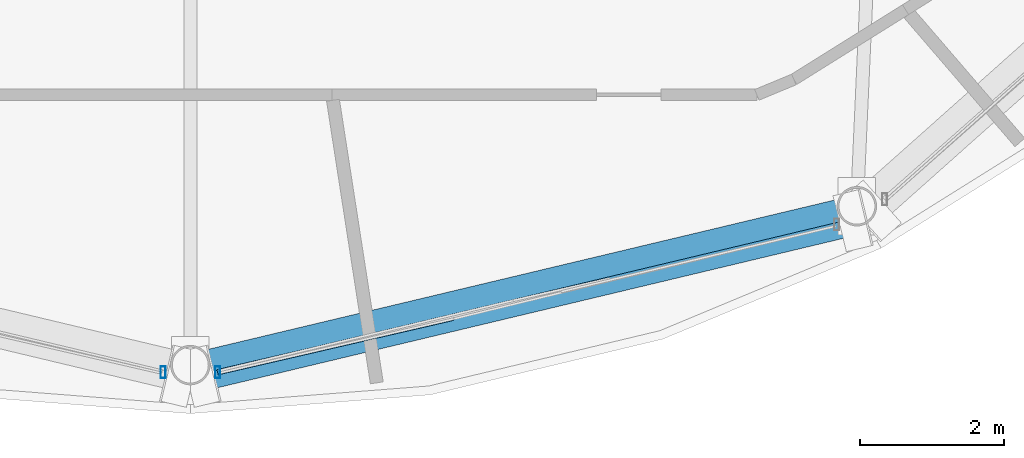
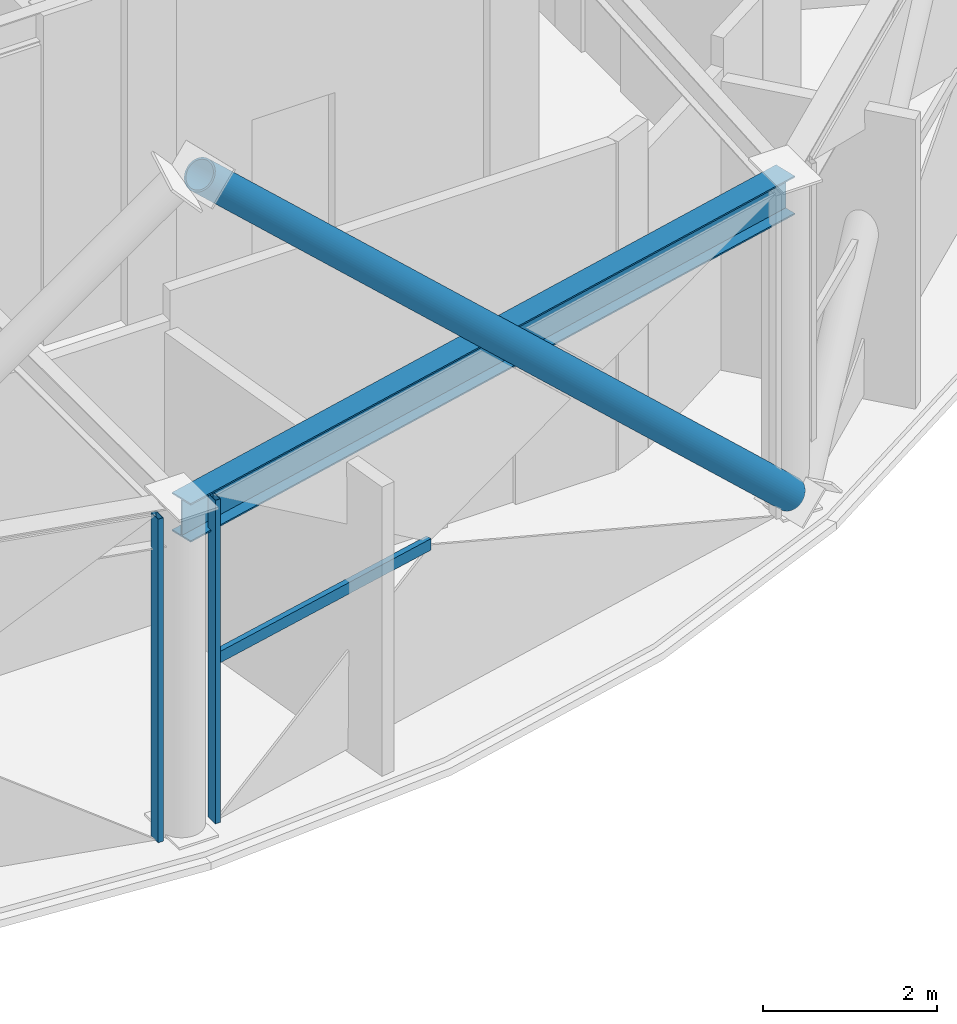
# One storey, part 5 of 27: 4 members, 1 beam, 2 elements without a shape of their own.
"""IFC4 building model written with IfcOpenShell, lengths in metres."""

from ifc_helpers import new_model, si_unit, direction, frame, origin, origin_2d, place, context, subcontext, project, spatial, hollow_rectangle, hollow_circle, i_section, extrude, material, layer, layer_set, material_profile, profile_set, type_object, element, aggregate, save


model = new_model("IFC4")

# Units and contexts
model_context = context("Model", 3, precision=1e-05, world=origin(), true_north=direction((0.0, 1.0)))
body_context = subcontext(model_context, "Body", "Model", "MODEL_VIEW")
ifc_project = project(units=[si_unit("LENGTHUNIT", "METRE"), si_unit("AREAUNIT", "SQUARE_METRE"), si_unit("VOLUMEUNIT", "CUBIC_METRE"), si_unit("PLANEANGLEUNIT", "RADIAN"), si_unit("MASSUNIT", "GRAM", prefix="KILO")], contexts=[model_context])

# Site, building, storey
site_placement = place(None, origin())
site = spatial("IfcSite", under=ifc_project, at=site_placement, CompositionType="ELEMENT")
building_placement = place(site_placement, origin())
building = spatial("IfcBuilding", under=site, at=building_placement, Name="Vantalir Tower", CompositionType="ELEMENT")
storey_placement = place(building_placement, frame((0.0, 0.0, 290.10009765625)))
storey = spatial("IfcBuildingStorey", under=building, at=storey_placement, Name="L73", CompositionType="ELEMENT", Elevation=290.10009765625)

# Beam
ifc_material_1 = material(Name="Steel S460", Category="steel")
ifc_material_profile_1 = material_profile(ifc_material_1, i_section(OverallWidth=0.31201171875, OverallDepth=0.5419921875, WebThickness=0.0126953125, FlangeThickness=0.020263671875, at=origin_2d()), Name="Steel S460")
ifc_profile_set_1 = profile_set([ifc_material_profile_1], Name="Steel S460")
beam_type = type_object("IfcBeamType", Name="BM-RG-533x312", PredefinedType="USERDEFINED", material=ifc_profile_set_1)
beam_placement = place(storey_placement, frame((31.5, 8.488037109375, 4.348876953125), z_axis=(0.972749896139, 0.231856937703, 0.0), x_axis=(-0.231856937703, 0.972749896139, 0.0)))
element("IfcBeam", 1, at=beam_placement, inside=storey, type_object=beam_type, Name="L73 Circumferential Ring Girder 10", ObjectType="GIRDER", PredefinedType="USERDEFINED", context=body_context, shape_type="SweptSolid", body=[
    extrude(i_section(OverallWidth=0.31201171875, OverallDepth=0.5419921875, WebThickness=0.0126953125, FlangeThickness=0.020263671875, at=origin_2d()), origin(), (0.0, 0.0, 1.0), 9.5400390625),
])

# Curtain wall, member
ifc_material_2 = material(Name="Champagne-silver PVDF aluminium and double-silver Low-E glass", Category="aluminium")
ifc_layer = layer(ifc_material_2, 0.219970703125)
ifc_layer_set = layer_set([ifc_layer], Name="Champagne-silver PVDF aluminium and double-silver Low-E glass")
curtain_wall_type = type_object("IfcCurtainWallType", Name="CW-DIAMOND-Z4", PredefinedType="USERDEFINED", material=ifc_layer_set)
curtain_wall_1_placement = place(storey_placement, origin())
curtain_wall_1 = element("IfcCurtainWall", 2, at=curtain_wall_1_placement, inside=storey, type_object=curtain_wall_type, Name="L73 Quilted Pyramid-Diamond Curtain Wall S09", ObjectType="UNITISED CURTAIN WALL", PredefinedType="USERDEFINED")
ifc_material_3 = material(Name="Champagne-silver PVDF aluminium 6063-T6", Category="aluminium")
ifc_material_profile_2 = material_profile(ifc_material_3, hollow_rectangle(XDim=0.070068359375, YDim=0.1650390625, WallThickness=0.00390625, at=origin_2d()), Name="Champagne-silver PVDF aluminium 6063-T6")
ifc_profile_set_2 = profile_set([ifc_material_profile_2], Name="Champagne-silver PVDF aluminium 6063-T6")
member_type_1 = type_object("IfcMemberType", Name="CWM-165x70", PredefinedType="MULLION", material=ifc_profile_set_2)
member_1_placement = place(storey_placement, frame((31.12109375, 8.388916015625, 0.044921875), z_axis=(0.0, 0.0, 1.0), x_axis=(1.0, 0.0, 0.0)))
member_1 = element("IfcMember", 3, at=member_1_placement, type_object=member_type_1, Name="CW-L73-S09 Mullion 2", PredefinedType="MULLION", context=body_context, shape_type="SweptSolid", body=[
    extrude(hollow_rectangle(XDim=0.070068359375, YDim=0.1650390625, WallThickness=0.00390625, at=origin_2d()), origin(), (0.0, 0.0, 1.0), 4.530029296875),
])
aggregate(curtain_wall_1, [member_1])

# Curtain wall, members
curtain_wall_2_placement = place(storey_placement, origin())
curtain_wall_2 = element("IfcCurtainWall", 4, at=curtain_wall_2_placement, inside=storey, type_object=curtain_wall_type, Name="L73 Quilted Pyramid-Diamond Curtain Wall S10", ObjectType="UNITISED CURTAIN WALL", PredefinedType="USERDEFINED")
member_2_placement = place(storey_placement, frame((31.87890625, 8.388916015625, 0.044921875), z_axis=(0.0, 0.0, 1.0), x_axis=(1.0, 0.0, 0.0)))
member_2 = element("IfcMember", 5, at=member_2_placement, type_object=member_type_1, Name="CW-L73-S10 Mullion 1", PredefinedType="MULLION", context=body_context, shape_type="SweptSolid", body=[
    extrude(hollow_rectangle(XDim=0.070068359375, YDim=0.1650390625, WallThickness=0.00390625, at=origin_2d()), origin(), (0.0, 0.0, 1.0), 4.530029296875),
])
ifc_material_profile_3 = material_profile(ifc_material_3, hollow_rectangle(XDim=0.074951171875, YDim=0.159912109375, WallThickness=0.00390625, at=origin_2d()), Name="Champagne-silver PVDF aluminium 6063-T6")
ifc_profile_set_3 = profile_set([ifc_material_profile_3], Name="Champagne-silver PVDF aluminium 6063-T6")
member_type_2 = type_object("IfcMemberType", Name="CWT-160x75", PredefinedType="USERDEFINED", material=ifc_profile_set_3)
member_3_placement = place(storey_placement, frame((31.87890625, 8.388916015625, 2.309814453125), z_axis=(0.974317808168, 0.225177282796, 0.0), x_axis=(-0.225177282796, 0.974317808168, 0.0)))
member_3 = element("IfcMember", 6, at=member_3_placement, type_object=member_type_2, Name="CW-L73-S10 Pyramid Fold Ridge Transom", ObjectType="TRANSOM", PredefinedType="USERDEFINED", context=body_context, shape_type="SweptSolid", body=[
    extrude(hollow_rectangle(XDim=0.074951171875, YDim=0.159912109375, WallThickness=0.00390625, at=origin_2d()), origin(), (0.0, 0.0, 1.0), 3.366455078125),
])
aggregate(curtain_wall_2, [member_2, member_3])

# Member
ifc_material_profile_4 = material_profile(ifc_material_1, hollow_circle(Radius=0.2099609375, WallThickness=0.02490234375, at=origin_2d()), Name="Steel S460")
ifc_profile_set_4 = profile_set([ifc_material_profile_4], Name="Steel S460")
member_type_3 = type_object("IfcMemberType", Name="MEM-DB-420x25", PredefinedType="BRACE", material=ifc_profile_set_4)
member_4_placement = place(storey_placement, frame((40.720947265625, 10.4990234375, 0.23193359375), z_axis=(-0.701401813214, -0.167408736936, 0.692827403628), x_axis=(0.232156338212, -0.972678484715, 0.0)))
element("IfcMember", 7, at=member_4_placement, inside=storey, type_object=member_type_3, Name="L73 Perimeter S460 Diagrid Brace R31R", PredefinedType="BRACE", context=body_context, shape_type="SweptSolid", body=[
    extrude(hollow_circle(Radius=0.2099609375, WallThickness=0.02490234375, at=origin_2d()), origin(), (0.0, 0.0, 1.0), 12.9267578125),
])

save(model, "model.ifc")
